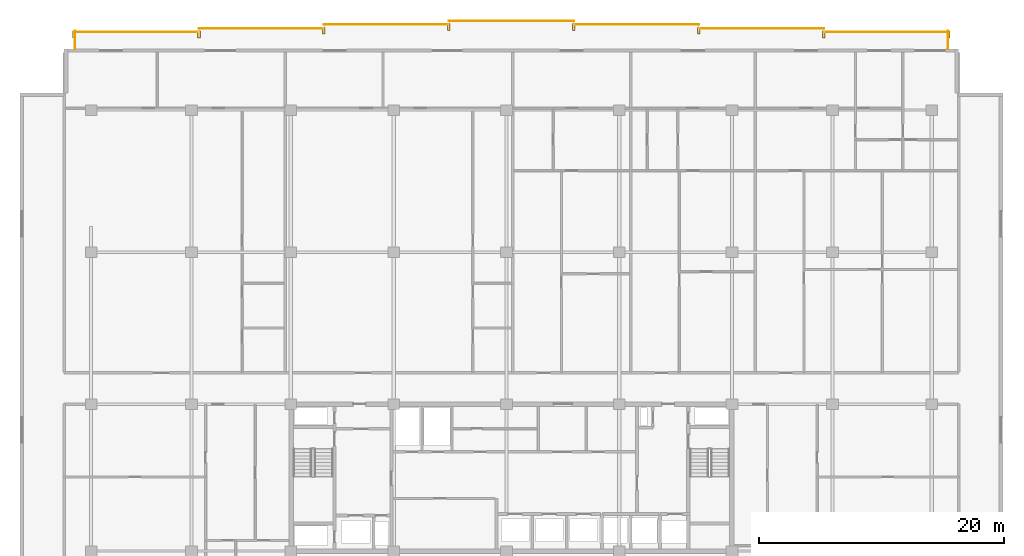
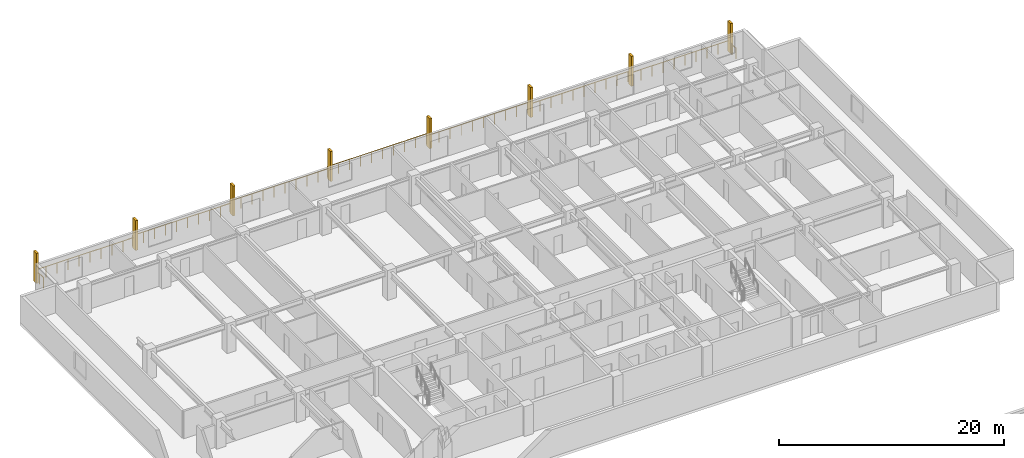
# One storey, part 21 of 21: 9 railings, 8 shading devices.
"""IFC4 building model written with IfcOpenShell, lengths in metres."""

from ifc_helpers import new_model, si_unit, direction, frame, origin, origin_2d, place, context, subcontext, project, spatial, rectangle, circle, extrude, material, type_object, element, save


model = new_model("IFC4")

# Units and contexts
model_context = context("Model", 3, precision=1e-05, world=origin(), true_north=direction((0.0, 1.0)))
body_context = subcontext(model_context, "Body", "Model", "MODEL_VIEW")
ifc_project = project(units=[si_unit("LENGTHUNIT", "METRE"), si_unit("AREAUNIT", "SQUARE_METRE"), si_unit("VOLUMEUNIT", "CUBIC_METRE"), si_unit("PLANEANGLEUNIT", "RADIAN"), si_unit("MASSUNIT", "GRAM", prefix="KILO")], contexts=[model_context])

# Site, building, storey
site_placement = place(None, origin())
site = spatial("IfcSite", under=ifc_project, at=site_placement, CompositionType="ELEMENT")
building_placement = place(site_placement, origin())
building = spatial("IfcBuilding", under=site, at=building_placement, Name="Korimba Cascade Residences", CompositionType="ELEMENT")
storey_placement = place(building_placement, frame((0.0, 0.0, 103.550048828125)))
storey = spatial("IfcBuildingStorey", under=building, at=storey_placement, Name="L29", CompositionType="ELEMENT", Elevation=103.550048828125)

# Railings
ifc_material_1 = material(Name="Laminated Glass and Bronze Balustrade", Category="glass")
railing_type = type_object("IfcRailingType", Name="RLG-LOG-1150", PredefinedType="BALUSTRADE", material=ifc_material_1)
railing_1_placement = place(storey_placement, frame((129.719970703125, 96.199951171875, 0.0)))
element("IfcRailing", 1, at=railing_1_placement, inside=storey, type_object=railing_type, Name="L29 Perimeter Guardrail RLG-L29-T1-LOG-01", PredefinedType="BALUSTRADE", context=body_context, shape_type="SweptSolid", body=[
    extrude(circle(Radius=0.02392578125, at=origin_2d()), frame((0.0, 0.0, 1.1259765625), z_axis=(0.0, 1.0, 0.0), x_axis=(-1.0, 0.0, 0.0)), (0.0, 0.0, 1.0), 1.449951171875),
    extrude(circle(Radius=0.02099609375, at=origin_2d()), origin(), (0.0, 0.0, 1.0), 1.101806640625),
    extrude(circle(Radius=0.02099609375, at=origin_2d()), frame((0.0, 0.72509765625, 0.0)), (0.0, 0.0, 1.0), 1.101806640625),
    extrude(circle(Radius=0.02099609375, at=origin_2d()), frame((0.0, 1.449951171875, 0.0)), (0.0, 0.0, 1.0), 1.101806640625),
])
railing_2_placement = place(storey_placement, frame((129.800048828125, 97.570068359375, 0.0)))
element("IfcRailing", 2, at=railing_2_placement, inside=storey, type_object=railing_type, Name="L29 Perimeter Guardrail RLG-L29-T1-LOG-02", PredefinedType="BALUSTRADE", context=body_context, shape_type="SweptSolid", body=[
    extrude(circle(Radius=0.02392578125, at=origin_2d()), frame((0.0, 0.0, 1.1259765625), z_axis=(-1.0, 0.0, 0.0), x_axis=(0.0, -1.0, 0.0)), (0.0, 0.0, 1.0), 10.199951171875),
    extrude(circle(Radius=0.02099609375, at=origin_2d()), origin(), (0.0, 0.0, 1.0), 1.101806640625),
    extrude(circle(Radius=0.02099609375, at=origin_2d()), frame((-1.13330078125, 0.0, 0.0)), (0.0, 0.0, 1.0), 1.101806640625),
    extrude(circle(Radius=0.02099609375, at=origin_2d()), frame((-2.2666015625, 0.0, 0.0)), (0.0, 0.0, 1.0), 1.101806640625),
    extrude(circle(Radius=0.02099609375, at=origin_2d()), frame((-3.39990234375, 0.0, 0.0)), (0.0, 0.0, 1.0), 1.101806640625),
    extrude(circle(Radius=0.02099609375, at=origin_2d()), frame((-4.533203125, 0.0, 0.0)), (0.0, 0.0, 1.0), 1.101806640625),
    extrude(circle(Radius=0.02099609375, at=origin_2d()), frame((-5.666748046875, 0.0, 0.0)), (0.0, 0.0, 1.0), 1.101806640625),
    extrude(circle(Radius=0.02099609375, at=origin_2d()), frame((-6.800048828125, 0.0, 0.0)), (0.0, 0.0, 1.0), 1.101806640625),
    extrude(circle(Radius=0.02099609375, at=origin_2d()), frame((-7.933349609375, 0.0, 0.0)), (0.0, 0.0, 1.0), 1.101806640625),
    extrude(circle(Radius=0.02099609375, at=origin_2d()), frame((-9.066650390625, 0.0, 0.0)), (0.0, 0.0, 1.0), 1.101806640625),
    extrude(circle(Radius=0.02099609375, at=origin_2d()), frame((-10.199951171875, 0.0, 0.0)), (0.0, 0.0, 1.0), 1.101806640625),
])
railing_3_placement = place(storey_placement, frame((119.60009765625, 97.8701171875, 0.0)))
element("IfcRailing", 3, at=railing_3_placement, inside=storey, type_object=railing_type, Name="L29 Perimeter Guardrail RLG-L29-T1-LOG-03", PredefinedType="BALUSTRADE", context=body_context, shape_type="SweptSolid", body=[
    extrude(circle(Radius=0.02392578125, at=origin_2d()), frame((0.0, 0.0, 1.1259765625), z_axis=(-1.0, 0.0, 0.0), x_axis=(0.0, -1.0, 0.0)), (0.0, 0.0, 1.0), 10.2001953125),
    extrude(circle(Radius=0.02099609375, at=origin_2d()), origin(), (0.0, 0.0, 1.0), 1.101806640625),
    extrude(circle(Radius=0.02099609375, at=origin_2d()), frame((-1.13330078125, 0.0, 0.0)), (0.0, 0.0, 1.0), 1.101806640625),
    extrude(circle(Radius=0.02099609375, at=origin_2d()), frame((-2.2666015625, 0.0, 0.0)), (0.0, 0.0, 1.0), 1.101806640625),
    extrude(circle(Radius=0.02099609375, at=origin_2d()), frame((-3.400146484375, 0.0, 0.0)), (0.0, 0.0, 1.0), 1.101806640625),
    extrude(circle(Radius=0.02099609375, at=origin_2d()), frame((-4.533447265625, 0.0, 0.0)), (0.0, 0.0, 1.0), 1.101806640625),
    extrude(circle(Radius=0.02099609375, at=origin_2d()), frame((-5.666748046875, 0.0, 0.0)), (0.0, 0.0, 1.0), 1.101806640625),
    extrude(circle(Radius=0.02099609375, at=origin_2d()), frame((-6.800048828125, 0.0, 0.0)), (0.0, 0.0, 1.0), 1.101806640625),
    extrude(circle(Radius=0.02099609375, at=origin_2d()), frame((-7.93359375, 0.0, 0.0)), (0.0, 0.0, 1.0), 1.101806640625),
    extrude(circle(Radius=0.02099609375, at=origin_2d()), frame((-9.06689453125, 0.0, 0.0)), (0.0, 0.0, 1.0), 1.101806640625),
    extrude(circle(Radius=0.02099609375, at=origin_2d()), frame((-10.2001953125, 0.0, 0.0)), (0.0, 0.0, 1.0), 1.101806640625),
])
for number, where, name in (
    (4, (109.39990234375, 98.169921875, 0.0), "L29 Perimeter Guardrail RLG-L29-T1-LOG-04"),
    (5, (99.199951171875, 98.469970703125, 0.0), "L29 Perimeter Guardrail RLG-L29-T1-LOG-05"),
    (6, (89.0, 98.169921875, 0.0), "L29 Perimeter Guardrail RLG-L29-T1-LOG-06"),
    (7, (78.800048828125, 97.8701171875, 0.0), "L29 Perimeter Guardrail RLG-L29-T1-LOG-07"),
):
    element("IfcRailing", number, at=place(storey_placement, frame(where)), inside=storey, type_object=railing_type, Name=name, PredefinedType="BALUSTRADE", context=body_context, shape_type="SweptSolid", body=[
        extrude(circle(Radius=0.02392578125, at=origin_2d()), frame((0.0, 0.0, 1.1259765625), z_axis=(-1.0, 0.0, 0.0), x_axis=(0.0, -1.0, 0.0)), (0.0, 0.0, 1.0), 10.199951171875),
        extrude(circle(Radius=0.02099609375, at=origin_2d()), origin(), (0.0, 0.0, 1.0), 1.101806640625),
        extrude(circle(Radius=0.02099609375, at=origin_2d()), frame((-1.13330078125, 0.0, 0.0)), (0.0, 0.0, 1.0), 1.101806640625),
        extrude(circle(Radius=0.02099609375, at=origin_2d()), frame((-2.2666015625, 0.0, 0.0)), (0.0, 0.0, 1.0), 1.101806640625),
        extrude(circle(Radius=0.02099609375, at=origin_2d()), frame((-3.39990234375, 0.0, 0.0)), (0.0, 0.0, 1.0), 1.101806640625),
        extrude(circle(Radius=0.02099609375, at=origin_2d()), frame((-4.533203125, 0.0, 0.0)), (0.0, 0.0, 1.0), 1.101806640625),
        extrude(circle(Radius=0.02099609375, at=origin_2d()), frame((-5.666748046875, 0.0, 0.0)), (0.0, 0.0, 1.0), 1.101806640625),
        extrude(circle(Radius=0.02099609375, at=origin_2d()), frame((-6.800048828125, 0.0, 0.0)), (0.0, 0.0, 1.0), 1.101806640625),
        extrude(circle(Radius=0.02099609375, at=origin_2d()), frame((-7.933349609375, 0.0, 0.0)), (0.0, 0.0, 1.0), 1.101806640625),
        extrude(circle(Radius=0.02099609375, at=origin_2d()), frame((-9.066650390625, 0.0, 0.0)), (0.0, 0.0, 1.0), 1.101806640625),
        extrude(circle(Radius=0.02099609375, at=origin_2d()), frame((-10.199951171875, 0.0, 0.0)), (0.0, 0.0, 1.0), 1.101806640625),
    ])
railing_4_placement = place(storey_placement, frame((68.60009765625, 97.570068359375, 0.0)))
element("IfcRailing", 8, at=railing_4_placement, inside=storey, type_object=railing_type, Name="L29 Perimeter Guardrail RLG-L29-T1-LOG-08", PredefinedType="BALUSTRADE", context=body_context, shape_type="SweptSolid", body=[
    extrude(circle(Radius=0.02392578125, at=origin_2d()), frame((0.0, 0.0, 1.1259765625), z_axis=(-1.0, 0.0, 0.0), x_axis=(0.0, -1.0, 0.0)), (0.0, 0.0, 1.0), 10.2001953125),
    extrude(circle(Radius=0.02099609375, at=origin_2d()), origin(), (0.0, 0.0, 1.0), 1.101806640625),
    extrude(circle(Radius=0.02099609375, at=origin_2d()), frame((-1.13330078125, 0.0, 0.0)), (0.0, 0.0, 1.0), 1.101806640625),
    extrude(circle(Radius=0.02099609375, at=origin_2d()), frame((-2.2666015625, 0.0, 0.0)), (0.0, 0.0, 1.0), 1.101806640625),
    extrude(circle(Radius=0.02099609375, at=origin_2d()), frame((-3.400146484375, 0.0, 0.0)), (0.0, 0.0, 1.0), 1.101806640625),
    extrude(circle(Radius=0.02099609375, at=origin_2d()), frame((-4.533447265625, 0.0, 0.0)), (0.0, 0.0, 1.0), 1.101806640625),
    extrude(circle(Radius=0.02099609375, at=origin_2d()), frame((-5.666748046875, 0.0, 0.0)), (0.0, 0.0, 1.0), 1.101806640625),
    extrude(circle(Radius=0.02099609375, at=origin_2d()), frame((-6.800048828125, 0.0, 0.0)), (0.0, 0.0, 1.0), 1.101806640625),
    extrude(circle(Radius=0.02099609375, at=origin_2d()), frame((-7.93359375, 0.0, 0.0)), (0.0, 0.0, 1.0), 1.101806640625),
    extrude(circle(Radius=0.02099609375, at=origin_2d()), frame((-9.06689453125, 0.0, 0.0)), (0.0, 0.0, 1.0), 1.101806640625),
    extrude(circle(Radius=0.02099609375, at=origin_2d()), frame((-10.2001953125, 0.0, 0.0)), (0.0, 0.0, 1.0), 1.101806640625),
])
railing_5_placement = place(storey_placement, frame((58.47998046875, 97.64990234375, 0.0)))
element("IfcRailing", 9, at=railing_5_placement, inside=storey, type_object=railing_type, Name="L29 Perimeter Guardrail RLG-L29-T1-LOG-09", PredefinedType="BALUSTRADE", context=body_context, shape_type="SweptSolid", body=[
    extrude(circle(Radius=0.02392578125, at=origin_2d()), frame((0.0, 0.0, 1.1259765625), z_axis=(0.0, -1.0, 0.0), x_axis=(1.0, 0.0, 0.0)), (0.0, 0.0, 1.0), 1.449951171875),
    extrude(circle(Radius=0.02099609375, at=origin_2d()), origin(), (0.0, 0.0, 1.0), 1.101806640625),
    extrude(circle(Radius=0.02099609375, at=origin_2d()), frame((0.0, -0.72509765625, 0.0)), (0.0, 0.0, 1.0), 1.101806640625),
    extrude(circle(Radius=0.02099609375, at=origin_2d()), frame((0.0, -1.449951171875, 0.0)), (0.0, 0.0, 1.0), 1.101806640625),
])

# Shading devices
ifc_material_2 = material(Name="Honed Sandstone Precast Fin", Category="masonry")
shading_device_type = type_object("IfcShadingDeviceType", Name="SHD-FIN-550", PredefinedType="USERDEFINED", material=ifc_material_2)
for number, where, z_axis, x_axis, name in (
    (10, (58.39990234375, 97.375, 0.0), (0.0, 0.0, 1.0), (1.0, 0.0, 0.0), "L29 T1 Warm-Stone Loggia Fin 1"),
    (11, (68.60009765625, 97.375, 0.0), (0.0, 0.0, 1.0), (1.0, 0.0, 0.0), "L29 T1 Warm-Stone Loggia Fin 2"),
    (12, (78.800048828125, 97.675048828125, 0.0), (0.0, 0.0, 1.0), (1.0, 0.0, 0.0), "L29 T1 Warm-Stone Loggia Fin 3"),
    (13, (89.0, 97.97509765625, 0.0), (0.0, 0.0, 1.0), (1.0, 0.0, 0.0), "L29 T1 Warm-Stone Loggia Fin 4"),
    (14, (99.199951171875, 97.97509765625, 0.0), (0.0, 0.0, 1.0), (1.0, 0.0, 0.0), "L29 T1 Warm-Stone Loggia Fin 5"),
    (15, (109.39990234375, 97.675048828125, 0.0), (0.0, 0.0, 1.0), (1.0, 0.0, 0.0), "L29 T1 Warm-Stone Loggia Fin 6"),
    (16, (119.60009765625, 97.375, 0.0), (0.0, 0.0, 1.0), (1.0, 0.0, 0.0), "L29 T1 Warm-Stone Loggia Fin 7"),
    (17, (129.800048828125, 97.375, 0.0), (0.0, 0.0, 1.0), (1.0, 0.0, 0.0), "L29 T1 Warm-Stone Loggia Fin 8"),
):
    element("IfcShadingDevice", number, at=place(storey_placement, frame(where, z_axis=z_axis, x_axis=x_axis)), inside=storey, type_object=shading_device_type, Name=name, ObjectType="FIN", PredefinedType="USERDEFINED", context=body_context, shape_type="SweptSolid", body=[
        extrude(rectangle(XDim=0.219970703125, YDim=0.550048828125, at=origin_2d()), origin(), (0.0, 0.0, 1.0), 3.25),
    ])

save(model, "model.ifc")
